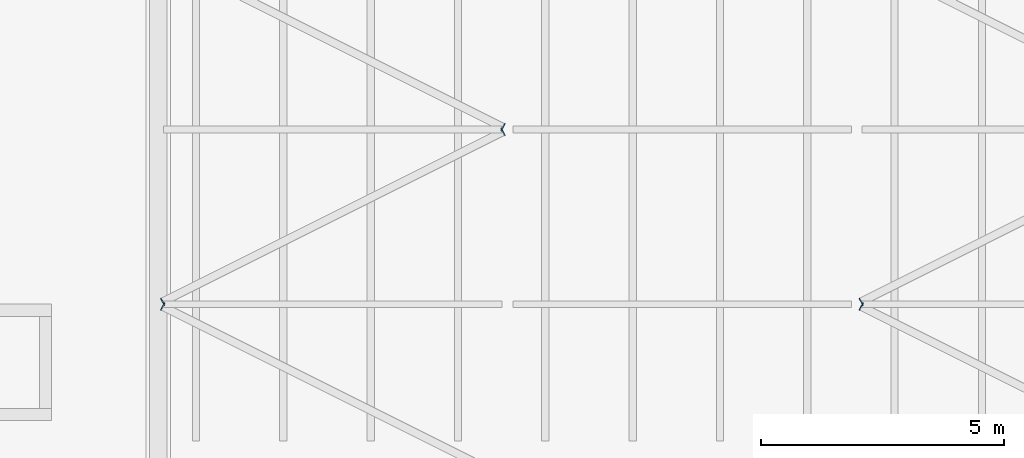
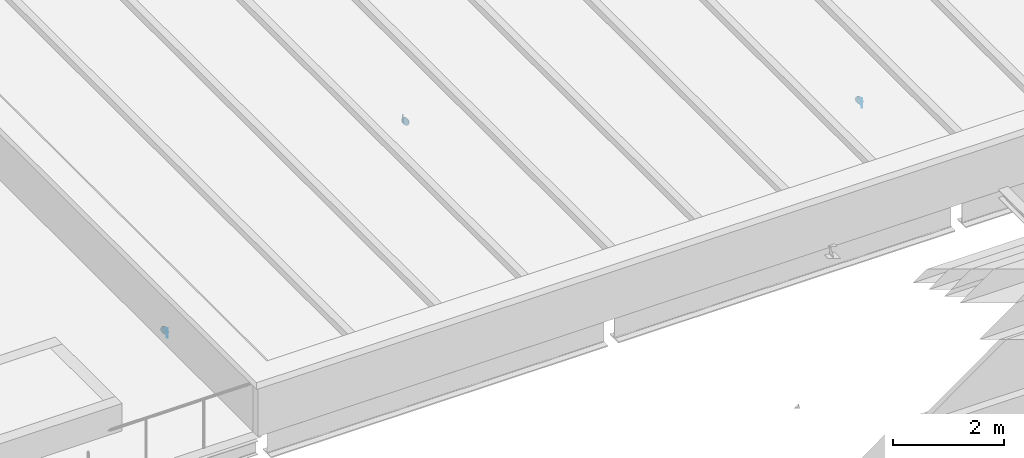
# One storey, part 70 of 110: 6 discrete accessories.
"""IFC4 building model written with IfcOpenShell, lengths in metres."""

from ifc_helpers import new_model, si_unit, direction, frame, origin, origin_2d, place, context, subcontext, project, spatial, circle, extrude, material, layer, layer_set, type_object, element, save


model = new_model("IFC4")

# Units and contexts
model_context = context("Model", 3, precision=1e-05, world=origin(), true_north=direction((0.0, 1.0)))
body_context = subcontext(model_context, "Body", "Model", "MODEL_VIEW")
ifc_project = project(units=[si_unit("LENGTHUNIT", "METRE"), si_unit("AREAUNIT", "SQUARE_METRE"), si_unit("VOLUMEUNIT", "CUBIC_METRE"), si_unit("PLANEANGLEUNIT", "RADIAN"), si_unit("MASSUNIT", "GRAM", prefix="KILO")], contexts=[model_context])

# Site, building, storey
site_placement = place(None, origin())
site = spatial("IfcSite", under=ifc_project, at=site_placement, CompositionType="ELEMENT")
building_placement = place(site_placement, origin())
building = spatial("IfcBuilding", under=site, at=building_placement, Name="Kupolbacken Congress Centre", CompositionType="ELEMENT")
storey_placement = place(building_placement, frame((0.0, 0.0, 18.0)))
storey = spatial("IfcBuildingStorey", under=building, at=storey_placement, Name="L05", CompositionType="ELEMENT", Elevation=18.0)

# Discrete accessories
ifc_material = material(Name="Steel S355", Category="steel")
ifc_layer = layer(ifc_material, 0.011962890625)
ifc_layer_set = layer_set([ifc_layer], Name="Steel S355")
discrete_accessory_type = type_object("IfcDiscreteAccessoryType", Name="EC2 tube end cap plate 168 dia x 12", PredefinedType="BRACKET", material=ifc_layer_set)
for number, where, z_axis, x_axis, name in (
    (1, (151.29833984375, 125.95068359375, -0.084228515625), (-0.886225443962, 0.463254209344, 0.0), (-0.463254209344, -0.886225443962, 0.0), "End cap plate BR/RB/01-00 B"),
    (2, (151.29833984375, 126.04931640625, -0.084228515625), (-0.886225443962, -0.463254209344, 0.0), (0.463254209344, -0.886225443962, 0.0), "End cap plate BR/RB/01-01 A"),
):
    element("IfcDiscreteAccessory", number, at=place(storey_placement, frame(where, z_axis=z_axis, x_axis=x_axis)), inside=storey, type_object=discrete_accessory_type, Name=name, PredefinedType="BRACKET", context=body_context, shape_type="SweptSolid", body=[
        extrude(circle(Radius=0.084228515625, at=origin_2d()), origin(), (0.0, 0.0, 1.0), 0.01220703125),
    ])
for number, where, z_axis, x_axis, name in (
    (3, (158.301513671875, 129.55078125, -0.084228515625), (0.894427191, 0.4472135955, 0.0), (-0.4472135955, 0.894427191, 0.0), "End cap plate BR/RB/01-01 B"),
    (4, (158.301513671875, 129.649169921875, -0.084228515625), (0.894427191, -0.4472135955, 0.0), (0.4472135955, 0.894427191, 0.0), "End cap plate BR/RB/01-02 A"),
):
    element("IfcDiscreteAccessory", number, at=place(storey_placement, frame(where, z_axis=z_axis, x_axis=x_axis)), inside=storey, type_object=discrete_accessory_type, Name=name, PredefinedType="BRACKET", context=body_context, shape_type="SweptSolid", body=[
        extrude(circle(Radius=0.084228515625, at=origin_2d()), origin(), (0.0, 0.0, 1.0), 0.011962890625),
    ])
for number, where, z_axis, x_axis, name in (
    (5, (165.698486328125, 125.95068359375, -0.084228515625), (-0.886225443962, 0.463254209344, 0.0), (-0.463254209344, -0.886225443962, 0.0), "End cap plate BR/RB/03-00 B"),
    (6, (165.698486328125, 126.04931640625, -0.084228515625), (-0.886225443962, -0.463254209344, 0.0), (0.463254209344, -0.886225443962, 0.0), "End cap plate BR/RB/03-01 A"),
):
    element("IfcDiscreteAccessory", number, at=place(storey_placement, frame(where, z_axis=z_axis, x_axis=x_axis)), inside=storey, type_object=discrete_accessory_type, Name=name, PredefinedType="BRACKET", context=body_context, shape_type="SweptSolid", body=[
        extrude(circle(Radius=0.084228515625, at=origin_2d()), origin(), (0.0, 0.0, 1.0), 0.01220703125),
    ])

save(model, "model.ifc")
